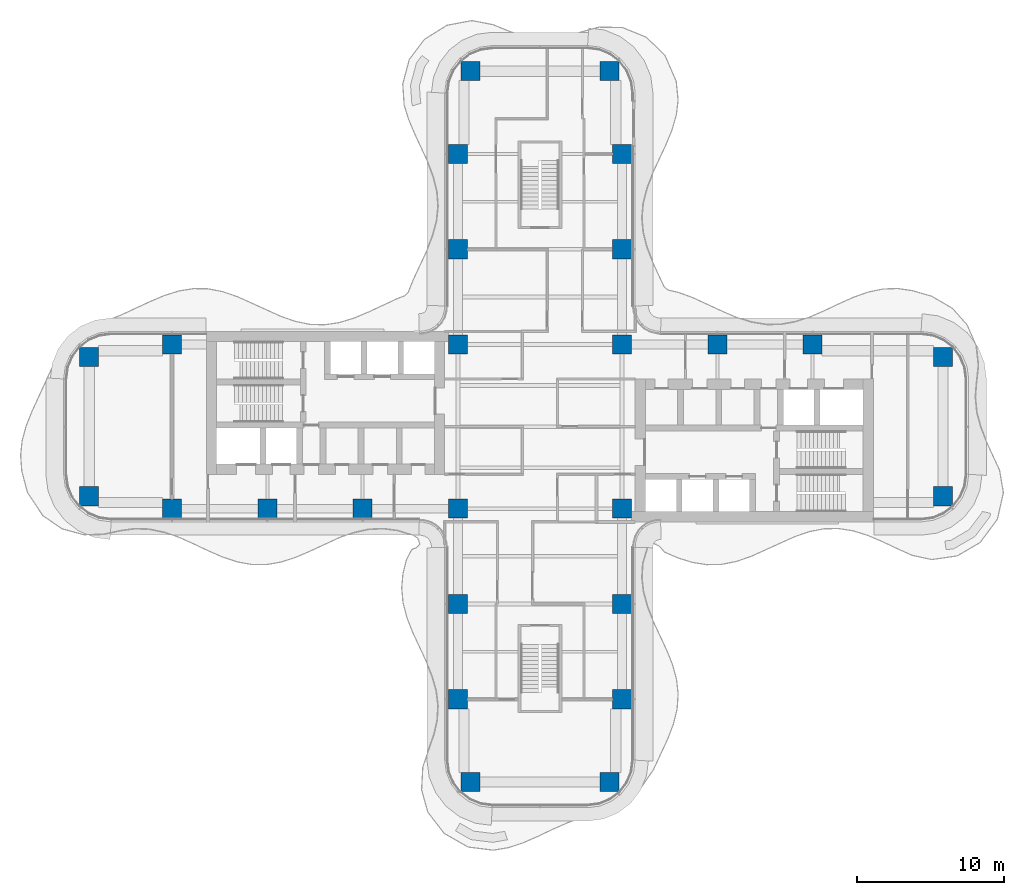
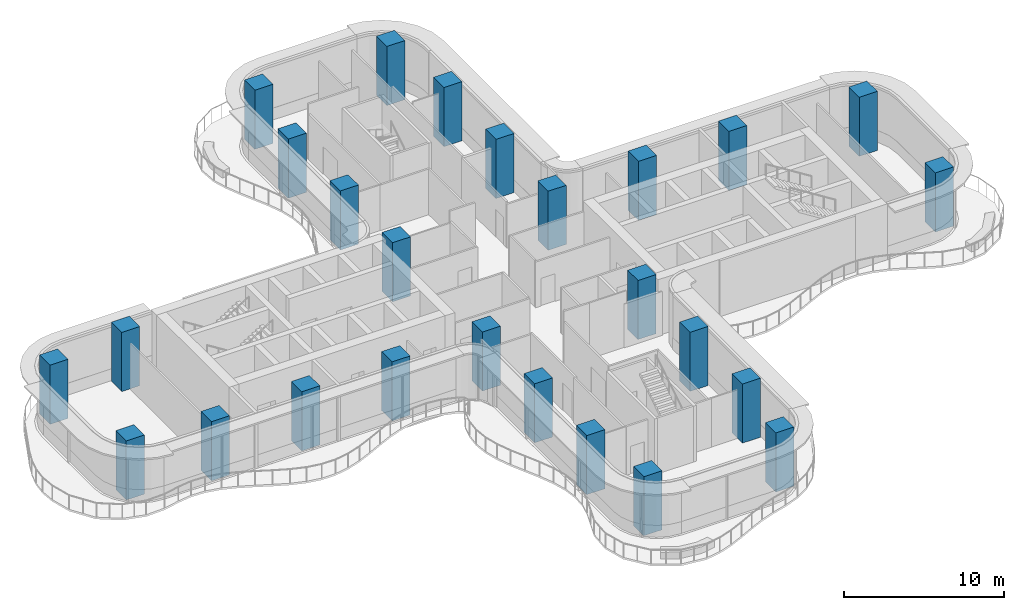
# One storey, part 1 of 20: 26 columns.
"""IFC4 building model written with IfcOpenShell, lengths in metres."""

from ifc_helpers import new_model, si_unit, direction, frame, origin, origin_2d, place, context, subcontext, project, spatial, rectangle, extrude, source, transform, mapped, material, material_profile, profile_set, type_object, element, save


model = new_model("IFC4")

# Units and contexts
model_context = context("Model", 3, precision=1e-05, world=origin(), true_north=direction((0.0, 1.0)))
body_context = subcontext(model_context, "Body", "Model", "MODEL_VIEW")
ifc_project = project(units=[si_unit("LENGTHUNIT", "METRE"), si_unit("AREAUNIT", "SQUARE_METRE"), si_unit("VOLUMEUNIT", "CUBIC_METRE"), si_unit("PLANEANGLEUNIT", "RADIAN"), si_unit("MASSUNIT", "GRAM", prefix="KILO")], contexts=[model_context])

# Site, building, storey
site_placement = place(None, origin())
site = spatial("IfcSite", under=ifc_project, at=site_placement, CompositionType="ELEMENT")
building_placement = place(site_placement, origin())
building = spatial("IfcBuilding", under=site, at=building_placement, Name="Trellis Farm Tower", CompositionType="ELEMENT")
storey_placement = place(building_placement, frame((0.0, 0.0, 129.0)))
storey = spatial("IfcBuildingStorey", under=building, at=storey_placement, Name="L27", CompositionType="ELEMENT", Elevation=129.0)

# Columns
ifc_material = material(Name="Concrete C80/95", Category="concrete")
ifc_material_profile = material_profile(ifc_material, rectangle(XDim=1.300048828125, YDim=1.300048828125, at=origin_2d()), Name="RC column 1300x1300 C80/95")
ifc_profile_set = profile_set([ifc_material_profile], Name="Concrete C80/95")
column_type = type_object("IfcColumnType", Name="RC column 1300x1300 C80/95", PredefinedType="COLUMN", material=ifc_profile_set)
shared_shape = source(origin(), body_context, "Body", "SweptSolid", [
    extrude(rectangle(XDim=1.300048828125, YDim=1.300048828125, at=origin_2d()), origin(), (0.0, 0.0, 1.0), 4.5),
])
for number, where, z_axis, x_axis, name in (
    (1, (12.10009765625, 5.60009765625, 0.0), (0.0, 0.0, 1.0), (1.0, 0.0, 0.0), "Column"),
    (2, (18.60009765625, 5.60009765625, 0.0), (0.0, 0.0, 1.0), (1.0, 0.0, 0.0), "Column"),
    (3, (27.5, 4.75, 0.0), (0.0, 0.0, 1.0), (1.0, 0.0, 0.0), "Column"),
    (4, (27.5, -4.75, 0.0), (0.0, 0.0, 1.0), (1.0, 0.0, 0.0), "Column"),
    (5, (-5.60009765625, 12.10009765625, 0.0), (0.0, 0.0, 1.0), (1.0, 0.0, 0.0), "Column"),
    (6, (-5.60009765625, 18.60009765625, 0.0), (0.0, 0.0, 1.0), (1.0, 0.0, 0.0), "Column"),
    (7, (-4.75, 24.25, 0.0), (0.0, 0.0, 1.0), (1.0, 0.0, 0.0), "Column"),
    (8, (5.60009765625, 12.10009765625, 0.0), (0.0, 0.0, 1.0), (1.0, 0.0, 0.0), "Column"),
    (9, (5.60009765625, 18.60009765625, 0.0), (0.0, 0.0, 1.0), (1.0, 0.0, 0.0), "Column"),
    (10, (4.75, 24.25, 0.0), (0.0, 0.0, 1.0), (1.0, 0.0, 0.0), "Column"),
    (11, (5.60009765625, 5.60009765625, 0.0), (0.0, 0.0, 1.0), (1.0, 0.0, 0.0), "Column"),
    (12, (-5.60009765625, 5.60009765625, 0.0), (0.0, 0.0, 1.0), (1.0, 0.0, 0.0), "Column"),
    (13, (5.60009765625, -5.60009765625, 0.0), (0.0, 0.0, 1.0), (1.0, 0.0, 0.0), "Column"),
    (14, (-5.60009765625, -5.60009765625, 0.0), (0.0, 0.0, 1.0), (1.0, 0.0, 0.0), "Column"),
    (15, (5.60009765625, -12.10009765625, 0.0), (0.0, 0.0, 1.0), (1.0, 0.0, 0.0), "Column"),
    (16, (5.60009765625, -18.60009765625, 0.0), (0.0, 0.0, 1.0), (1.0, 0.0, 0.0), "Column"),
    (17, (4.75, -24.25, 0.0), (0.0, 0.0, 1.0), (1.0, 0.0, 0.0), "Column"),
    (18, (-5.60009765625, -12.10009765625, 0.0), (0.0, 0.0, 1.0), (1.0, 0.0, 0.0), "Column"),
    (19, (-5.60009765625, -18.60009765625, 0.0), (0.0, 0.0, 1.0), (1.0, 0.0, 0.0), "Column"),
    (20, (-4.75, -24.25, 0.0), (0.0, 0.0, 1.0), (1.0, 0.0, 0.0), "Column"),
    (21, (-12.10009765625, -5.60009765625, 0.0), (0.0, 0.0, 1.0), (1.0, 0.0, 0.0), "Column"),
    (22, (-18.60009765625, -5.60009765625, 0.0), (0.0, 0.0, 1.0), (1.0, 0.0, 0.0), "Column"),
    (23, (-25.10009765625, -5.60009765625, 0.0), (0.0, 0.0, 1.0), (1.0, 0.0, 0.0), "Column"),
    (24, (-30.75, -4.75, 0.0), (0.0, 0.0, 1.0), (1.0, 0.0, 0.0), "Column"),
    (25, (-25.10009765625, 5.60009765625, 0.0), (0.0, 0.0, 1.0), (1.0, 0.0, 0.0), "Column"),
    (26, (-30.75, 4.75, 0.0), (0.0, 0.0, 1.0), (1.0, 0.0, 0.0), "Column"),
):
    element("IfcColumn", number, at=place(storey_placement, frame(where, z_axis=z_axis, x_axis=x_axis)), inside=storey, type_object=column_type, Name=name, PredefinedType="COLUMN", context=body_context, shape_type="MappedRepresentation", body=[
        mapped(shared_shape, transform((0.0, 0.0, 0.0))),
    ])

save(model, "model.ifc")
